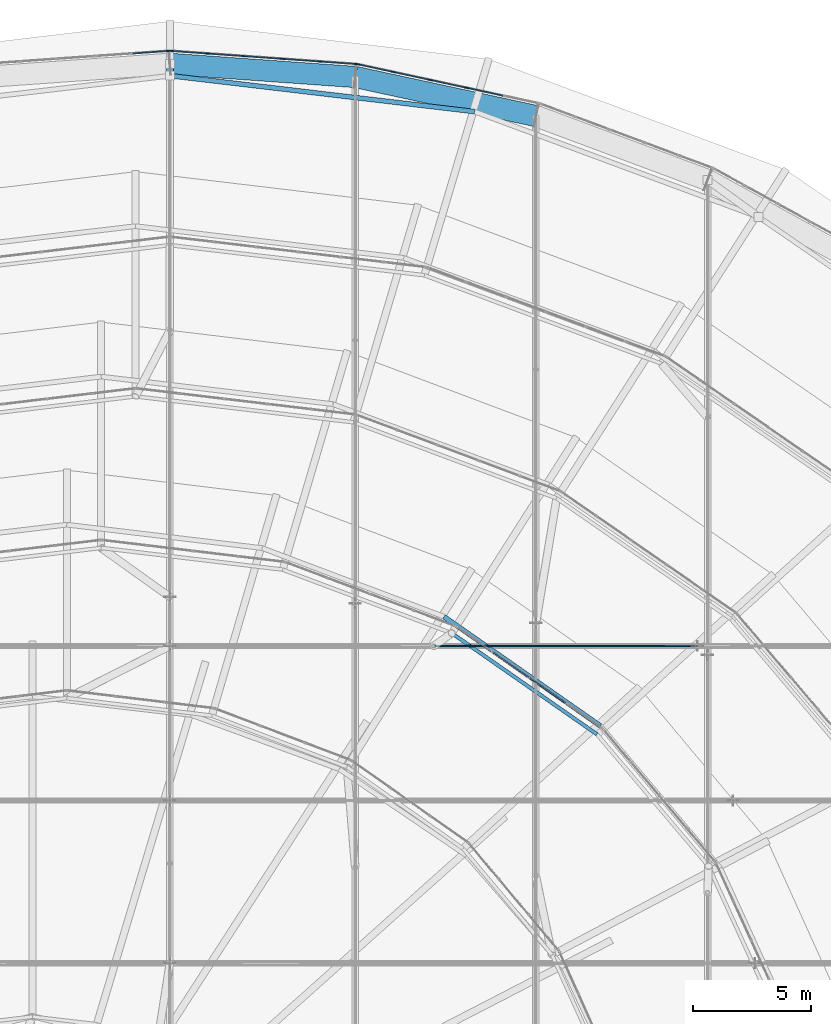
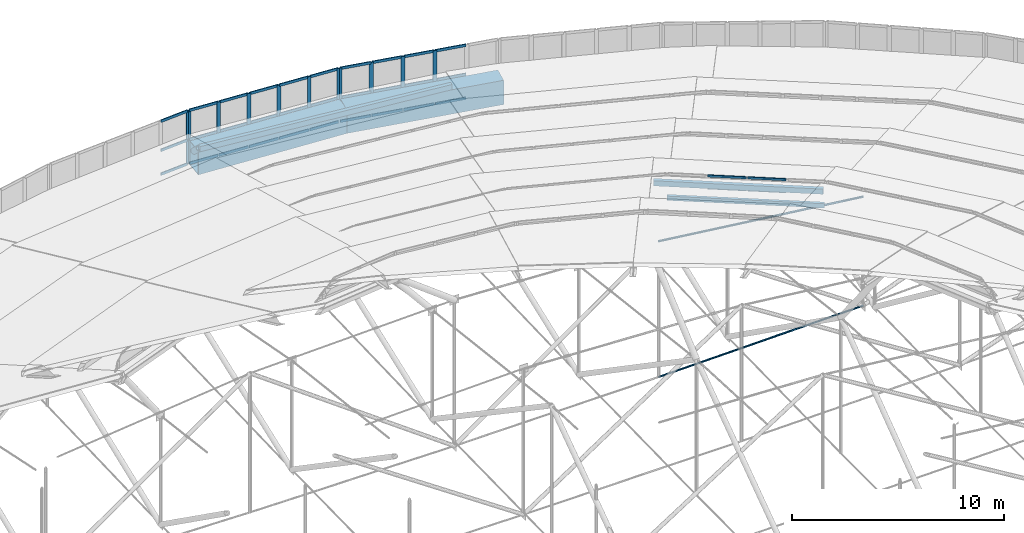
# One storey, part 116 of 173: 51 members, 2 beams, 4 elements without a shape of their own.
"""IFC4 building model written with IfcOpenShell, lengths in metres."""

from ifc_helpers import new_model, si_unit, direction, frame, origin, origin_2d, place, context, subcontext, project, spatial, rectangle, hollow_rectangle, circle, hollow_circle, extrude, material, material_profile, profile_set, type_object, element, aggregate, save


model = new_model("IFC4")

# Units and contexts
model_context = context("Model", 3, precision=1e-05, world=origin(), true_north=direction((0.0, 1.0)))
body_context = subcontext(model_context, "Body", "Model", "MODEL_VIEW")
ifc_project = project(units=[si_unit("LENGTHUNIT", "METRE"), si_unit("AREAUNIT", "SQUARE_METRE"), si_unit("VOLUMEUNIT", "CUBIC_METRE"), si_unit("PLANEANGLEUNIT", "RADIAN"), si_unit("MASSUNIT", "GRAM", prefix="KILO")], contexts=[model_context])

# Site, building, storey
site_placement = place(None, origin())
site = spatial("IfcSite", under=ifc_project, at=site_placement, CompositionType="ELEMENT")
building_placement = place(site_placement, origin())
building = spatial("IfcBuilding", under=site, at=building_placement, Name="Glasvene Arena", CompositionType="ELEMENT")
storey_placement = place(building_placement, frame((0.0, 0.0, 28.800048828125)))
storey = spatial("IfcBuildingStorey", under=building, at=storey_placement, Name="RF", CompositionType="ELEMENT", Elevation=28.800048828125)

# Beams
ifc_material_1 = material(Name="Steel S355J2", Category="steel")
ifc_material_profile_1 = material_profile(ifc_material_1, hollow_rectangle(XDim=0.89990234375, YDim=1.39990234375, WallThickness=0.034912109375, at=origin_2d()), Name="WBOX 900x1400x35")
ifc_profile_set_1 = profile_set([ifc_material_profile_1], Name="Steel S355J2")
beam_type = type_object("IfcBeamType", Name="BM-RING-BOX1400", PredefinedType="USERDEFINED", material=ifc_profile_set_1)
beam_1_placement = place(storey_placement, frame((107.45068359375, 115.797607421875, -0.699951171875), z_axis=(-0.977442097296, 0.211203566338, 0.0), x_axis=(-0.211203566338, -0.977442097296, 0.0)))
element("IfcBeam", 1, at=beam_1_placement, inside=storey, type_object=beam_type, Name="Compression ring beam chord RB-09", ObjectType="RING BEAM", PredefinedType="USERDEFINED", context=body_context, shape_type="SweptSolid", body=[
    extrude(hollow_rectangle(XDim=0.89990234375, YDim=1.39990234375, WallThickness=0.034912109375, at=origin_2d()), origin(), (0.0, 0.0, 1.0), 7.804931640625),
])
beam_2_placement = place(storey_placement, frame((99.82177734375, 117.446044921875, -0.699951171875), z_axis=(-0.997501506622, 0.070645200029, 0.0), x_axis=(-0.070645200029, -0.997501506622, 0.0)))
element("IfcBeam", 2, at=beam_2_placement, inside=storey, type_object=beam_type, Name="Compression ring beam chord RB-10", ObjectType="RING BEAM", PredefinedType="USERDEFINED", context=body_context, shape_type="SweptSolid", body=[
    extrude(hollow_rectangle(XDim=0.89990234375, YDim=1.39990234375, WallThickness=0.034912109375, at=origin_2d()), origin(), (0.0, 0.0, 1.0), 7.84130859375),
])

# Curtain wall, members
ifc_material_2 = material(Name="Low-emissivity laminated double glazing", Category="glass")
curtain_wall_type_1 = type_object("IfcCurtainWallType", Name="CW-DRUM-789x310", PredefinedType="USERDEFINED", material=ifc_material_2)
curtain_wall_1_placement = place(storey_placement, frame((107.620849609375, 116.320556640625, 0.0)))
curtain_wall_1 = element("IfcCurtainWall", 3, at=curtain_wall_1_placement, inside=storey, type_object=curtain_wall_type_1, Name="Crown compression-ring fascia curtain wall 09", ObjectType="CURTAIN WALL", PredefinedType="USERDEFINED")
ifc_material_3 = material(Name="Anodised architectural aluminium", Category="aluminium")
ifc_material_profile_2 = material_profile(ifc_material_3, rectangle(XDim=0.050048828125, YDim=0.199951171875, at=origin_2d()), Name="ALU MULLION 50x200")
ifc_profile_set_2 = profile_set([ifc_material_profile_2], Name="Anodised architectural aluminium")
member_type_1 = type_object("IfcMemberType", Name="CW-MUL-180", PredefinedType="MULLION", material=ifc_profile_set_2)
member_1_placement = place(storey_placement, frame((104.53564453125, 116.988037109375, -1.380126953125), z_axis=(0.0, 0.0, 1.0), x_axis=(-0.211444690135, -0.977389964658, 0.0)))
member_1 = element("IfcMember", 4, at=member_1_placement, type_object=member_type_1, Name="CW-079 mullion 3", PredefinedType="MULLION", context=body_context, shape_type="SweptSolid", body=[
    extrude(rectangle(XDim=0.050048828125, YDim=0.199951171875, at=origin_2d()), origin(), (0.0, 0.0, 1.0), 3.10009765625),
])
member_2_placement = place(storey_placement, frame((102.992919921875, 117.32177734375, -1.380126953125), z_axis=(0.0, 0.0, 1.0), x_axis=(-0.211444690135, -0.977389964658, 0.0)))
member_2 = element("IfcMember", 5, at=member_2_placement, type_object=member_type_1, Name="CW-079 mullion 4", PredefinedType="MULLION", context=body_context, shape_type="SweptSolid", body=[
    extrude(rectangle(XDim=0.050048828125, YDim=0.199951171875, at=origin_2d()), origin(), (0.0, 0.0, 1.0), 3.10009765625),
])
member_3_placement = place(storey_placement, frame((101.450439453125, 117.655517578125, -1.380126953125), z_axis=(0.0, 0.0, 1.0), x_axis=(-0.211444690135, -0.977389964658, 0.0)))
member_3 = element("IfcMember", 6, at=member_3_placement, type_object=member_type_1, Name="CW-079 mullion 5", PredefinedType="MULLION", context=body_context, shape_type="SweptSolid", body=[
    extrude(rectangle(XDim=0.050048828125, YDim=0.199951171875, at=origin_2d()), origin(), (0.0, 0.0, 1.0), 3.10009765625),
])
member_4_placement = place(storey_placement, frame((99.93212890625, 117.98388671875, -1.380126953125), z_axis=(0.0, 0.0, 1.0), x_axis=(-0.211444690135, -0.977389964658, 0.0)))
member_4 = element("IfcMember", 7, at=member_4_placement, type_object=member_type_1, Name="CW-079 mullion 6", PredefinedType="MULLION", context=body_context, shape_type="SweptSolid", body=[
    extrude(rectangle(XDim=0.050048828125, YDim=0.199951171875, at=origin_2d()), origin(), (0.0, 0.0, 1.0), 3.10009765625),
])

curtain_wall_type_2 = type_object("IfcCurtainWallType", Name="CW-DRUM-793x310", PredefinedType="USERDEFINED", material=ifc_material_2)
curtain_wall_2_placement = place(storey_placement, frame((99.90771484375, 117.9892578125, 0.0)))
curtain_wall_2 = element("IfcCurtainWall", 8, at=curtain_wall_2_placement, inside=storey, type_object=curtain_wall_type_2, Name="Crown compression-ring fascia curtain wall 10", ObjectType="CURTAIN WALL", PredefinedType="USERDEFINED")
member_5_placement = place(storey_placement, frame((99.8828125, 117.990966796875, -1.380126953125), z_axis=(0.0, 0.0, 1.0), x_axis=(-0.07073966092, -0.997494812204, 0.0)))
member_5 = element("IfcMember", 9, at=member_5_placement, type_object=member_type_1, Name="CW-080 mullion 1", PredefinedType="MULLION", context=body_context, shape_type="SweptSolid", body=[
    extrude(rectangle(XDim=0.050048828125, YDim=0.199951171875, at=origin_2d()), origin(), (0.0, 0.0, 1.0), 3.10009765625),
])
member_6_placement = place(storey_placement, frame((98.326171875, 118.101318359375, -1.380126953125), z_axis=(0.0, 0.0, 1.0), x_axis=(-0.07073966092, -0.997494812204, 0.0)))
member_6 = element("IfcMember", 10, at=member_6_placement, type_object=member_type_1, Name="CW-080 mullion 2", PredefinedType="MULLION", context=body_context, shape_type="SweptSolid", body=[
    extrude(rectangle(XDim=0.050048828125, YDim=0.199951171875, at=origin_2d()), origin(), (0.0, 0.0, 1.0), 3.10009765625),
])
member_7_placement = place(storey_placement, frame((96.74462890625, 118.213623046875, -1.380126953125), z_axis=(0.0, 0.0, 1.0), x_axis=(-0.07073966092, -0.997494812204, 0.0)))
member_7 = element("IfcMember", 11, at=member_7_placement, type_object=member_type_1, Name="CW-080 mullion 3", PredefinedType="MULLION", context=body_context, shape_type="SweptSolid", body=[
    extrude(rectangle(XDim=0.050048828125, YDim=0.199951171875, at=origin_2d()), origin(), (0.0, 0.0, 1.0), 3.10009765625),
])
member_8_placement = place(storey_placement, frame((95.1630859375, 118.32568359375, -1.380126953125), z_axis=(0.0, 0.0, 1.0), x_axis=(-0.07073966092, -0.997494812204, 0.0)))
member_8 = element("IfcMember", 12, at=member_8_placement, type_object=member_type_1, Name="CW-080 mullion 4", PredefinedType="MULLION", context=body_context, shape_type="SweptSolid", body=[
    extrude(rectangle(XDim=0.050048828125, YDim=0.199951171875, at=origin_2d()), origin(), (0.0, 0.0, 1.0), 3.10009765625),
])
member_9_placement = place(storey_placement, frame((93.58154296875, 118.437744140625, -1.380126953125), z_axis=(0.0, 0.0, 1.0), x_axis=(-0.07073966092, -0.997494812204, 0.0)))
member_9 = element("IfcMember", 13, at=member_9_placement, type_object=member_type_1, Name="CW-080 mullion 5", PredefinedType="MULLION", context=body_context, shape_type="SweptSolid", body=[
    extrude(rectangle(XDim=0.050048828125, YDim=0.199951171875, at=origin_2d()), origin(), (0.0, 0.0, 1.0), 3.10009765625),
])
member_10_placement = place(storey_placement, frame((92.02490234375, 118.54833984375, -1.380126953125), z_axis=(0.0, 0.0, 1.0), x_axis=(-0.07073966092, -0.997494812204, 0.0)))
member_10 = element("IfcMember", 14, at=member_10_placement, type_object=member_type_1, Name="CW-080 mullion 6", PredefinedType="MULLION", context=body_context, shape_type="SweptSolid", body=[
    extrude(rectangle(XDim=0.050048828125, YDim=0.199951171875, at=origin_2d()), origin(), (0.0, 0.0, 1.0), 3.10009765625),
])

# Curtain wall, member
curtain_wall_3_placement = place(storey_placement, frame((92.0, 118.550048828125, 0.0)))
curtain_wall_3 = element("IfcCurtainWall", 15, at=curtain_wall_3_placement, inside=storey, type_object=curtain_wall_type_2, Name="Crown compression-ring fascia curtain wall 11", ObjectType="CURTAIN WALL", PredefinedType="USERDEFINED")
member_11_placement = place(storey_placement, frame((91.97509765625, 118.54833984375, -1.380126953125), z_axis=(0.0, 0.0, 1.0), x_axis=(0.07073966092, -0.997494812204, 0.0)))
member_11 = element("IfcMember", 16, at=member_11_placement, type_object=member_type_1, Name="CW-080 mullion 1", PredefinedType="MULLION", context=body_context, shape_type="SweptSolid", body=[
    extrude(rectangle(XDim=0.050048828125, YDim=0.199951171875, at=origin_2d()), origin(), (0.0, 0.0, 1.0), 3.10009765625),
])

# Curtain wall, members
curtain_wall_type_3 = type_object("IfcCurtainWallType", Name="CW-PET3-756x75", PredefinedType="USERDEFINED", material=ifc_material_2)
curtain_wall_4_placement = place(storey_placement, frame((110.27783203125, 89.933349609375, 0.0)))
curtain_wall_4 = element("IfcCurtainWall", 17, at=curtain_wall_4_placement, inside=storey, type_object=curtain_wall_type_3, Name="Petal ring 3-4 clerestory curtain wall 04", ObjectType="CURTAIN WALL", PredefinedType="USERDEFINED")
ifc_material_profile_3 = material_profile(ifc_material_3, rectangle(XDim=0.050048828125, YDim=0.1201171875, at=origin_2d()), Name="ALU TRANSOM 50x120")
ifc_profile_set_3 = profile_set([ifc_material_profile_3], Name="Anodised architectural aluminium")
member_type_2 = type_object("IfcMemberType", Name="CW-TRN-120", PredefinedType="USERDEFINED", material=ifc_profile_set_3)
member_12_placement = place(storey_placement, frame((108.70654296875, 91.0283203125, 7.85498046875), z_axis=(-0.820420800475, 0.571760185872, 0.0), x_axis=(-0.571760185872, -0.820420800475, 0.0)))
member_12 = element("IfcMember", 18, at=member_12_placement, type_object=member_type_2, Name="CW-096 transom 2.1", ObjectType="TRANSOM", PredefinedType="USERDEFINED", context=body_context, shape_type="SweptSolid", body=[
    extrude(rectangle(XDim=0.050048828125, YDim=0.1201171875, at=origin_2d()), origin(), (0.0, 0.0, 1.0), 1.83984375),
])
member_13_placement = place(storey_placement, frame((108.70654296875, 91.0283203125, 8.554931640625), z_axis=(-0.820420800475, 0.571760185872, 0.0), x_axis=(-0.571760185872, -0.820420800475, 0.0)))
member_13 = element("IfcMember", 19, at=member_13_placement, type_object=member_type_2, Name="CW-096 transom 2.2", ObjectType="TRANSOM", PredefinedType="USERDEFINED", context=body_context, shape_type="SweptSolid", body=[
    extrude(rectangle(XDim=0.050048828125, YDim=0.1201171875, at=origin_2d()), origin(), (0.0, 0.0, 1.0), 1.83984375),
])
member_14_placement = place(storey_placement, frame((107.156005859375, 92.10888671875, 7.85498046875), z_axis=(-0.820464170964, 0.571697948364, 0.0), x_axis=(-0.571697948364, -0.820464170964, 0.0)))
member_14 = element("IfcMember", 20, at=member_14_placement, type_object=member_type_2, Name="CW-096 transom 3.1", ObjectType="TRANSOM", PredefinedType="USERDEFINED", context=body_context, shape_type="SweptSolid", body=[
    extrude(rectangle(XDim=0.050048828125, YDim=0.1201171875, at=origin_2d()), origin(), (0.0, 0.0, 1.0), 1.840087890625),
])
member_15_placement = place(storey_placement, frame((107.156005859375, 92.10888671875, 8.554931640625), z_axis=(-0.820464170964, 0.571697948364, 0.0), x_axis=(-0.571697948364, -0.820464170964, 0.0)))
member_15 = element("IfcMember", 21, at=member_15_placement, type_object=member_type_2, Name="CW-096 transom 3.2", ObjectType="TRANSOM", PredefinedType="USERDEFINED", context=body_context, shape_type="SweptSolid", body=[
    extrude(rectangle(XDim=0.050048828125, YDim=0.1201171875, at=origin_2d()), origin(), (0.0, 0.0, 1.0), 1.840087890625),
])
aggregate(curtain_wall_4, [member_12, member_13, member_14, member_15])

# Member
ifc_material_profile_4 = material_profile(ifc_material_3, rectangle(XDim=0.050048828125, YDim=0.14990234375, at=origin_2d()), Name="ALU TRANSOM 50x150")
ifc_profile_set_4 = profile_set([ifc_material_profile_4], Name="Anodised architectural aluminium")
member_type_3 = type_object("IfcMemberType", Name="CW-TRN-150", PredefinedType="USERDEFINED", material=ifc_profile_set_4)
member_16_placement = place(storey_placement, frame((106.0537109375, 116.65966796875, -1.35498046875), z_axis=(-0.977407921799, 0.2113616673, 0.0), x_axis=(-0.2113616673, -0.977407921799, 0.0)))
member_16 = element("IfcMember", 22, at=member_16_placement, type_object=member_type_3, Name="CW-079 transom 2.1", ObjectType="TRANSOM", PredefinedType="USERDEFINED", context=body_context, shape_type="SweptSolid", body=[
    extrude(rectangle(XDim=0.050048828125, YDim=0.14990234375, at=origin_2d()), origin(), (0.0, 0.0, 1.0), 1.528076171875),
])

member_17_placement = place(storey_placement, frame((106.0537109375, 116.65966796875, 0.02001953125), z_axis=(-0.977407921799, 0.2113616673, 0.0), x_axis=(-0.2113616673, -0.977407921799, 0.0)))
member_17 = element("IfcMember", 23, at=member_17_placement, type_object=member_type_3, Name="CW-079 transom 2.2", ObjectType="TRANSOM", PredefinedType="USERDEFINED", context=body_context, shape_type="SweptSolid", body=[
    extrude(rectangle(XDim=0.050048828125, YDim=0.14990234375, at=origin_2d()), origin(), (0.0, 0.0, 1.0), 1.528076171875),
])

member_18_placement = place(storey_placement, frame((106.0537109375, 116.65966796875, 1.695068359375), z_axis=(-0.977407921799, 0.2113616673, 0.0), x_axis=(-0.2113616673, -0.977407921799, 0.0)))
member_18 = element("IfcMember", 24, at=member_18_placement, type_object=member_type_3, Name="CW-079 transom 2.3", ObjectType="TRANSOM", PredefinedType="USERDEFINED", context=body_context, shape_type="SweptSolid", body=[
    extrude(rectangle(XDim=0.050048828125, YDim=0.14990234375, at=origin_2d()), origin(), (0.0, 0.0, 1.0), 1.528076171875),
])

member_19_placement = place(storey_placement, frame((104.51123046875, 116.993408203125, -1.35498046875), z_axis=(-0.97741505718, 0.211328668189, 0.0), x_axis=(-0.211328668189, -0.97741505718, 0.0)))
member_19 = element("IfcMember", 25, at=member_19_placement, type_object=member_type_3, Name="CW-079 transom 3.1", ObjectType="TRANSOM", PredefinedType="USERDEFINED", context=body_context, shape_type="SweptSolid", body=[
    extrude(rectangle(XDim=0.050048828125, YDim=0.14990234375, at=origin_2d()), origin(), (0.0, 0.0, 1.0), 1.5283203125),
])

member_20_placement = place(storey_placement, frame((104.51123046875, 116.993408203125, 0.02001953125), z_axis=(-0.97741505718, 0.211328668189, 0.0), x_axis=(-0.211328668189, -0.97741505718, 0.0)))
member_20 = element("IfcMember", 26, at=member_20_placement, type_object=member_type_3, Name="CW-079 transom 3.2", ObjectType="TRANSOM", PredefinedType="USERDEFINED", context=body_context, shape_type="SweptSolid", body=[
    extrude(rectangle(XDim=0.050048828125, YDim=0.14990234375, at=origin_2d()), origin(), (0.0, 0.0, 1.0), 1.5283203125),
])

member_21_placement = place(storey_placement, frame((104.51123046875, 116.993408203125, 1.695068359375), z_axis=(-0.97741505718, 0.211328668189, 0.0), x_axis=(-0.211328668189, -0.97741505718, 0.0)))
member_21 = element("IfcMember", 27, at=member_21_placement, type_object=member_type_3, Name="CW-079 transom 3.3", ObjectType="TRANSOM", PredefinedType="USERDEFINED", context=body_context, shape_type="SweptSolid", body=[
    extrude(rectangle(XDim=0.050048828125, YDim=0.14990234375, at=origin_2d()), origin(), (0.0, 0.0, 1.0), 1.5283203125),
])

member_22_placement = place(storey_placement, frame((102.968505859375, 117.3271484375, -1.35498046875), z_axis=(-0.977407921799, 0.2113616673, 0.0), x_axis=(-0.2113616673, -0.977407921799, 0.0)))
member_22 = element("IfcMember", 28, at=member_22_placement, type_object=member_type_3, Name="CW-079 transom 4.1", ObjectType="TRANSOM", PredefinedType="USERDEFINED", context=body_context, shape_type="SweptSolid", body=[
    extrude(rectangle(XDim=0.050048828125, YDim=0.14990234375, at=origin_2d()), origin(), (0.0, 0.0, 1.0), 1.528076171875),
])

member_23_placement = place(storey_placement, frame((102.968505859375, 117.3271484375, 0.02001953125), z_axis=(-0.977407921799, 0.2113616673, 0.0), x_axis=(-0.2113616673, -0.977407921799, 0.0)))
member_23 = element("IfcMember", 29, at=member_23_placement, type_object=member_type_3, Name="CW-079 transom 4.2", ObjectType="TRANSOM", PredefinedType="USERDEFINED", context=body_context, shape_type="SweptSolid", body=[
    extrude(rectangle(XDim=0.050048828125, YDim=0.14990234375, at=origin_2d()), origin(), (0.0, 0.0, 1.0), 1.528076171875),
])

member_24_placement = place(storey_placement, frame((102.968505859375, 117.3271484375, 1.695068359375), z_axis=(-0.977407921799, 0.2113616673, 0.0), x_axis=(-0.2113616673, -0.977407921799, 0.0)))
member_24 = element("IfcMember", 30, at=member_24_placement, type_object=member_type_3, Name="CW-079 transom 4.3", ObjectType="TRANSOM", PredefinedType="USERDEFINED", context=body_context, shape_type="SweptSolid", body=[
    extrude(rectangle(XDim=0.050048828125, YDim=0.14990234375, at=origin_2d()), origin(), (0.0, 0.0, 1.0), 1.528076171875),
])

member_25_placement = place(storey_placement, frame((101.426025390625, 117.66064453125, -1.35498046875), z_axis=(-0.977386956686, 0.211458593819, 0.0), x_axis=(-0.211458593819, -0.977386956686, 0.0)))
member_25 = element("IfcMember", 31, at=member_25_placement, type_object=member_type_3, Name="CW-079 transom 5.1", ObjectType="TRANSOM", PredefinedType="USERDEFINED", context=body_context, shape_type="SweptSolid", body=[
    extrude(rectangle(XDim=0.050048828125, YDim=0.14990234375, at=origin_2d()), origin(), (0.0, 0.0, 1.0), 1.503173828125),
])

member_26_placement = place(storey_placement, frame((101.426025390625, 117.66064453125, 0.02001953125), z_axis=(-0.977386956686, 0.211458593819, 0.0), x_axis=(-0.211458593819, -0.977386956686, 0.0)))
member_26 = element("IfcMember", 32, at=member_26_placement, type_object=member_type_3, Name="CW-079 transom 5.2", ObjectType="TRANSOM", PredefinedType="USERDEFINED", context=body_context, shape_type="SweptSolid", body=[
    extrude(rectangle(XDim=0.050048828125, YDim=0.14990234375, at=origin_2d()), origin(), (0.0, 0.0, 1.0), 1.503173828125),
])

member_27_placement = place(storey_placement, frame((101.426025390625, 117.66064453125, 1.695068359375), z_axis=(-0.977386956686, 0.211458593819, 0.0), x_axis=(-0.211458593819, -0.977386956686, 0.0)))
member_27 = element("IfcMember", 33, at=member_27_placement, type_object=member_type_3, Name="CW-079 transom 5.3", ObjectType="TRANSOM", PredefinedType="USERDEFINED", context=body_context, shape_type="SweptSolid", body=[
    extrude(rectangle(XDim=0.050048828125, YDim=0.14990234375, at=origin_2d()), origin(), (0.0, 0.0, 1.0), 1.503173828125),
])

aggregate(curtain_wall_1, [member_1, member_2, member_3, member_4, member_16, member_17, member_18, member_19, member_20, member_21, member_22, member_23, member_24, member_25, member_26, member_27])

member_28_placement = place(storey_placement, frame((99.85791015625, 117.99267578125, -1.35498046875), z_axis=(-0.997491409379, 0.070787627561, 0.0), x_axis=(-0.070787627561, -0.997491409379, 0.0)))
member_28 = element("IfcMember", 34, at=member_28_placement, type_object=member_type_3, Name="CW-080 transom 1.1", ObjectType="TRANSOM", PredefinedType="USERDEFINED", context=body_context, shape_type="SweptSolid", body=[
    extrude(rectangle(XDim=0.050048828125, YDim=0.14990234375, at=origin_2d()), origin(), (0.0, 0.0, 1.0), 1.5107421875),
])

member_29_placement = place(storey_placement, frame((99.85791015625, 117.99267578125, 0.02001953125), z_axis=(-0.997491409379, 0.070787627561, 0.0), x_axis=(-0.070787627561, -0.997491409379, 0.0)))
member_29 = element("IfcMember", 35, at=member_29_placement, type_object=member_type_3, Name="CW-080 transom 1.2", ObjectType="TRANSOM", PredefinedType="USERDEFINED", context=body_context, shape_type="SweptSolid", body=[
    extrude(rectangle(XDim=0.050048828125, YDim=0.14990234375, at=origin_2d()), origin(), (0.0, 0.0, 1.0), 1.5107421875),
])

member_30_placement = place(storey_placement, frame((99.85791015625, 117.99267578125, 1.695068359375), z_axis=(-0.997491409379, 0.070787627561, 0.0), x_axis=(-0.070787627561, -0.997491409379, 0.0)))
member_30 = element("IfcMember", 36, at=member_30_placement, type_object=member_type_3, Name="CW-080 transom 1.3", ObjectType="TRANSOM", PredefinedType="USERDEFINED", context=body_context, shape_type="SweptSolid", body=[
    extrude(rectangle(XDim=0.050048828125, YDim=0.14990234375, at=origin_2d()), origin(), (0.0, 0.0, 1.0), 1.5107421875),
])

member_31_placement = place(storey_placement, frame((98.30126953125, 118.10302734375, -1.35498046875), z_axis=(-0.997494086071, 0.070749899315, 0.0), x_axis=(-0.070749899315, -0.997494086071, 0.0)))
member_31 = element("IfcMember", 37, at=member_31_placement, type_object=member_type_3, Name="CW-080 transom 2.1", ObjectType="TRANSOM", PredefinedType="USERDEFINED", context=body_context, shape_type="SweptSolid", body=[
    extrude(rectangle(XDim=0.050048828125, YDim=0.14990234375, at=origin_2d()), origin(), (0.0, 0.0, 1.0), 1.53564453125),
])

member_32_placement = place(storey_placement, frame((98.30126953125, 118.10302734375, 0.02001953125), z_axis=(-0.997494086071, 0.070749899315, 0.0), x_axis=(-0.070749899315, -0.997494086071, 0.0)))
member_32 = element("IfcMember", 38, at=member_32_placement, type_object=member_type_3, Name="CW-080 transom 2.2", ObjectType="TRANSOM", PredefinedType="USERDEFINED", context=body_context, shape_type="SweptSolid", body=[
    extrude(rectangle(XDim=0.050048828125, YDim=0.14990234375, at=origin_2d()), origin(), (0.0, 0.0, 1.0), 1.53564453125),
])

member_33_placement = place(storey_placement, frame((98.30126953125, 118.10302734375, 1.695068359375), z_axis=(-0.997494086071, 0.070749899315, 0.0), x_axis=(-0.070749899315, -0.997494086071, 0.0)))
member_33 = element("IfcMember", 39, at=member_33_placement, type_object=member_type_3, Name="CW-080 transom 2.3", ObjectType="TRANSOM", PredefinedType="USERDEFINED", context=body_context, shape_type="SweptSolid", body=[
    extrude(rectangle(XDim=0.050048828125, YDim=0.14990234375, at=origin_2d()), origin(), (0.0, 0.0, 1.0), 1.53564453125),
])

member_34_placement = place(storey_placement, frame((96.7197265625, 118.21533203125, -1.35498046875), z_axis=(-0.997494086071, 0.070749899315, 0.0), x_axis=(-0.070749899315, -0.997494086071, 0.0)))
member_34 = element("IfcMember", 40, at=member_34_placement, type_object=member_type_3, Name="CW-080 transom 3.1", ObjectType="TRANSOM", PredefinedType="USERDEFINED", context=body_context, shape_type="SweptSolid", body=[
    extrude(rectangle(XDim=0.050048828125, YDim=0.14990234375, at=origin_2d()), origin(), (0.0, 0.0, 1.0), 1.53564453125),
])

member_35_placement = place(storey_placement, frame((96.7197265625, 118.21533203125, 0.02001953125), z_axis=(-0.997494086071, 0.070749899315, 0.0), x_axis=(-0.070749899315, -0.997494086071, 0.0)))
member_35 = element("IfcMember", 41, at=member_35_placement, type_object=member_type_3, Name="CW-080 transom 3.2", ObjectType="TRANSOM", PredefinedType="USERDEFINED", context=body_context, shape_type="SweptSolid", body=[
    extrude(rectangle(XDim=0.050048828125, YDim=0.14990234375, at=origin_2d()), origin(), (0.0, 0.0, 1.0), 1.53564453125),
])

member_36_placement = place(storey_placement, frame((96.7197265625, 118.21533203125, 1.695068359375), z_axis=(-0.997494086071, 0.070749899315, 0.0), x_axis=(-0.070749899315, -0.997494086071, 0.0)))
member_36 = element("IfcMember", 42, at=member_36_placement, type_object=member_type_3, Name="CW-080 transom 3.3", ObjectType="TRANSOM", PredefinedType="USERDEFINED", context=body_context, shape_type="SweptSolid", body=[
    extrude(rectangle(XDim=0.050048828125, YDim=0.14990234375, at=origin_2d()), origin(), (0.0, 0.0, 1.0), 1.53564453125),
])

member_37_placement = place(storey_placement, frame((95.13818359375, 118.327392578125, -1.35498046875), z_axis=(-0.997494086071, 0.070749899315, 0.0), x_axis=(-0.070749899315, -0.997494086071, 0.0)))
member_37 = element("IfcMember", 43, at=member_37_placement, type_object=member_type_3, Name="CW-080 transom 4.1", ObjectType="TRANSOM", PredefinedType="USERDEFINED", context=body_context, shape_type="SweptSolid", body=[
    extrude(rectangle(XDim=0.050048828125, YDim=0.14990234375, at=origin_2d()), origin(), (0.0, 0.0, 1.0), 1.53564453125),
])

member_38_placement = place(storey_placement, frame((95.13818359375, 118.327392578125, 0.02001953125), z_axis=(-0.997494086071, 0.070749899315, 0.0), x_axis=(-0.070749899315, -0.997494086071, 0.0)))
member_38 = element("IfcMember", 44, at=member_38_placement, type_object=member_type_3, Name="CW-080 transom 4.2", ObjectType="TRANSOM", PredefinedType="USERDEFINED", context=body_context, shape_type="SweptSolid", body=[
    extrude(rectangle(XDim=0.050048828125, YDim=0.14990234375, at=origin_2d()), origin(), (0.0, 0.0, 1.0), 1.53564453125),
])

member_39_placement = place(storey_placement, frame((95.13818359375, 118.327392578125, 1.695068359375), z_axis=(-0.997494086071, 0.070749899315, 0.0), x_axis=(-0.070749899315, -0.997494086071, 0.0)))
member_39 = element("IfcMember", 45, at=member_39_placement, type_object=member_type_3, Name="CW-080 transom 4.3", ObjectType="TRANSOM", PredefinedType="USERDEFINED", context=body_context, shape_type="SweptSolid", body=[
    extrude(rectangle(XDim=0.050048828125, YDim=0.14990234375, at=origin_2d()), origin(), (0.0, 0.0, 1.0), 1.53564453125),
])

member_40_placement = place(storey_placement, frame((93.556640625, 118.439697265625, -1.35498046875), z_axis=(-0.997502808232, 0.070626819053, 0.0), x_axis=(-0.070626819053, -0.997502808232, 0.0)))
member_40 = element("IfcMember", 46, at=member_40_placement, type_object=member_type_3, Name="CW-080 transom 5.1", ObjectType="TRANSOM", PredefinedType="USERDEFINED", context=body_context, shape_type="SweptSolid", body=[
    extrude(rectangle(XDim=0.050048828125, YDim=0.14990234375, at=origin_2d()), origin(), (0.0, 0.0, 1.0), 1.510498046875),
])

member_41_placement = place(storey_placement, frame((93.556640625, 118.439697265625, 0.02001953125), z_axis=(-0.997502808232, 0.070626819053, 0.0), x_axis=(-0.070626819053, -0.997502808232, 0.0)))
member_41 = element("IfcMember", 47, at=member_41_placement, type_object=member_type_3, Name="CW-080 transom 5.2", ObjectType="TRANSOM", PredefinedType="USERDEFINED", context=body_context, shape_type="SweptSolid", body=[
    extrude(rectangle(XDim=0.050048828125, YDim=0.14990234375, at=origin_2d()), origin(), (0.0, 0.0, 1.0), 1.510498046875),
])

member_42_placement = place(storey_placement, frame((93.556640625, 118.439697265625, 1.695068359375), z_axis=(-0.997502808232, 0.070626819053, 0.0), x_axis=(-0.070626819053, -0.997502808232, 0.0)))
member_42 = element("IfcMember", 48, at=member_42_placement, type_object=member_type_3, Name="CW-080 transom 5.3", ObjectType="TRANSOM", PredefinedType="USERDEFINED", context=body_context, shape_type="SweptSolid", body=[
    extrude(rectangle(XDim=0.050048828125, YDim=0.14990234375, at=origin_2d()), origin(), (0.0, 0.0, 1.0), 1.510498046875),
])

aggregate(curtain_wall_2, [member_5, member_6, member_7, member_8, member_9, member_10, member_28, member_29, member_30, member_31, member_32, member_33, member_34, member_35, member_36, member_37, member_38, member_39, member_40, member_41, member_42])

member_43_placement = place(storey_placement, frame((91.9501953125, 118.54638671875, -1.35498046875), z_axis=(-0.997502808232, -0.070626819053, 0.0), x_axis=(0.070626819053, -0.997502808232, 0.0)))
member_43 = element("IfcMember", 49, at=member_43_placement, type_object=member_type_3, Name="CW-080 transom 1.1", ObjectType="TRANSOM", PredefinedType="USERDEFINED", context=body_context, shape_type="SweptSolid", body=[
    extrude(rectangle(XDim=0.050048828125, YDim=0.14990234375, at=origin_2d()), origin(), (0.0, 0.0, 1.0), 1.510498046875),
])

member_44_placement = place(storey_placement, frame((91.9501953125, 118.54638671875, 0.02001953125), z_axis=(-0.997502808232, -0.070626819053, 0.0), x_axis=(0.070626819053, -0.997502808232, 0.0)))
member_44 = element("IfcMember", 50, at=member_44_placement, type_object=member_type_3, Name="CW-080 transom 1.2", ObjectType="TRANSOM", PredefinedType="USERDEFINED", context=body_context, shape_type="SweptSolid", body=[
    extrude(rectangle(XDim=0.050048828125, YDim=0.14990234375, at=origin_2d()), origin(), (0.0, 0.0, 1.0), 1.510498046875),
])

member_45_placement = place(storey_placement, frame((91.9501953125, 118.54638671875, 1.695068359375), z_axis=(-0.997502808232, -0.070626819053, 0.0), x_axis=(0.070626819053, -0.997502808232, 0.0)))
member_45 = element("IfcMember", 51, at=member_45_placement, type_object=member_type_3, Name="CW-080 transom 1.3", ObjectType="TRANSOM", PredefinedType="USERDEFINED", context=body_context, shape_type="SweptSolid", body=[
    extrude(rectangle(XDim=0.050048828125, YDim=0.14990234375, at=origin_2d()), origin(), (0.0, 0.0, 1.0), 1.510498046875),
])

aggregate(curtain_wall_3, [member_11, member_43, member_44, member_45])

# Members
ifc_material_4 = material(Name="High-strength steel spiral strand S460", Category="steel")
ifc_material_profile_5 = material_profile(ifc_material_4, circle(Radius=0.03759765625, at=origin_2d()), Name="LCSS D75")
ifc_profile_set_5 = profile_set([ifc_material_profile_5], Name="High-strength steel spiral strand S460")
member_type_4 = type_object("IfcMemberType", Name="MB-CABLE-75", PredefinedType="USERDEFINED", material=ifc_profile_set_5)
member_46_placement = place(storey_placement, frame((103.1376953125, 93.4296875, -2.328125), z_axis=(0.999812725831, 0.0, 0.019352345227), x_axis=(0.0, 1.0, 0.0)))
element("IfcMember", 52, at=member_46_placement, inside=storey, type_object=member_type_4, Name="Lower stabilization roof cable EW07-06", ObjectType="ROOF CABLE", PredefinedType="USERDEFINED", context=body_context, shape_type="SweptSolid", body=[
    extrude(circle(Radius=0.03759765625, at=origin_2d()), origin(), (0.0, 0.0, 1.0), 11.1396484375),
])
ifc_material_profile_6 = material_profile(ifc_material_4, circle(Radius=0.044921875, at=origin_2d()), Name="LCSS D90")
ifc_profile_set_6 = profile_set([ifc_material_profile_6], Name="High-strength steel spiral strand S460")
member_type_5 = type_object("IfcMemberType", Name="MB-CABLE-90", PredefinedType="USERDEFINED", material=ifc_profile_set_6)
member_47_placement = place(storey_placement, frame((103.1376953125, 93.4296875, 5.499267578125), z_axis=(0.992921261552, 0.0, -0.118774443199), x_axis=(0.0, 1.0, 0.0)))
element("IfcMember", 53, at=member_47_placement, inside=storey, type_object=member_type_5, Name="Upper lens roof cable EW07-06", ObjectType="ROOF CABLE", PredefinedType="USERDEFINED", context=body_context, shape_type="SweptSolid", body=[
    extrude(circle(Radius=0.044921875, at=origin_2d()), origin(), (0.0, 0.0, 1.0), 11.216796875),
])
ifc_material_profile_7 = material_profile(ifc_material_1, hollow_circle(Radius=0.161865234375, WallThickness=0.01611328125, at=origin_2d()), Name="CHS 323.9x16.0")
ifc_profile_set_7 = profile_set([ifc_material_profile_7], Name="Steel S355J2")
member_type_6 = type_object("IfcMemberType", Name="MB-POST-CHS324", PredefinedType="BRACE", material=ifc_profile_set_7)
member_48_placement = place(storey_placement, frame((92.0, 118.0, -0.300048828125), z_axis=(0.0, -0.73042636681, 0.682991451387), x_axis=(1.0, 0.0, 0.0)))
element("IfcMember", 54, at=member_48_placement, inside=storey, type_object=member_type_6, Name="Petal ring 1 outer support post 07", PredefinedType="BRACE", context=body_context, shape_type="SweptSolid", body=[
    extrude(hollow_circle(Radius=0.161865234375, WallThickness=0.01611328125, at=origin_2d()), origin(), (0.0, 0.0, 1.0), 0.6845703125),
])
ifc_material_profile_8 = material_profile(ifc_material_1, hollow_rectangle(XDim=0.14990234375, YDim=0.25, WallThickness=0.010009765625, at=origin_2d()), Name="RHS 250x150x10.0")
ifc_profile_set_8 = profile_set([ifc_material_profile_8], Name="Steel S355J2")
member_type_7 = type_object("IfcMemberType", Name="MB-PURLIN-RHS250", PredefinedType="PURLIN", material=ifc_profile_set_8)
member_49_placement = place(storey_placement, frame((110.030517578125, 89.69921875, 7.431884765625), z_axis=(-0.820591363724, 0.571515366181, 0.0), x_axis=(-0.571515366181, -0.820591363724, 0.0)))
element("IfcMember", 55, at=member_49_placement, inside=storey, type_object=member_type_7, Name="Petal ring 3 ridge purlin 04", PredefinedType="PURLIN", context=body_context, shape_type="SweptSolid", body=[
    extrude(hollow_rectangle(XDim=0.14990234375, YDim=0.25, WallThickness=0.010009765625, at=origin_2d()), origin(), (0.0, 0.0, 1.0), 7.470947265625),
])
ifc_material_profile_9 = material_profile(ifc_material_1, hollow_rectangle(XDim=0.199951171875, YDim=0.300048828125, WallThickness=0.012451171875, at=origin_2d()), Name="RHS 300x200x12.5")
ifc_profile_set_9 = profile_set([ifc_material_profile_9], Name="Steel S355J2")
member_type_8 = type_object("IfcMemberType", Name="MB-PURLIN-RHS300", PredefinedType="PURLIN", material=ifc_profile_set_9)
member_50_placement = place(storey_placement, frame((104.86328125, 115.983642578125, 0.16748046875), z_axis=(-0.993123429608, 0.117072001619, 0.0), x_axis=(-0.117072001619, -0.993123429608, 0.0)))
element("IfcMember", 56, at=member_50_placement, inside=storey, type_object=member_type_8, Name="Petal ring 1 outer purlin 06", PredefinedType="PURLIN", context=body_context, shape_type="SweptSolid", body=[
    extrude(hollow_rectangle(XDim=0.199951171875, YDim=0.300048828125, WallThickness=0.012451171875, at=origin_2d()), origin(), (0.0, 0.0, 1.0), 12.952392578125),
])
member_51_placement = place(storey_placement, frame((110.17138671875, 90.05615234375, 8.00048828125), z_axis=(-0.819748991351, 0.57272296198, 0.0), x_axis=(-0.57272296198, -0.819748991351, 0.0)))
element("IfcMember", 57, at=member_51_placement, inside=storey, type_object=member_type_8, Name="Petal ring 4 outer purlin 04", PredefinedType="PURLIN", context=body_context, shape_type="SweptSolid", body=[
    extrude(hollow_rectangle(XDim=0.199951171875, YDim=0.300048828125, WallThickness=0.012451171875, at=origin_2d()), origin(), (0.0, 0.0, 1.0), 8.046875),
])

save(model, "model.ifc")
